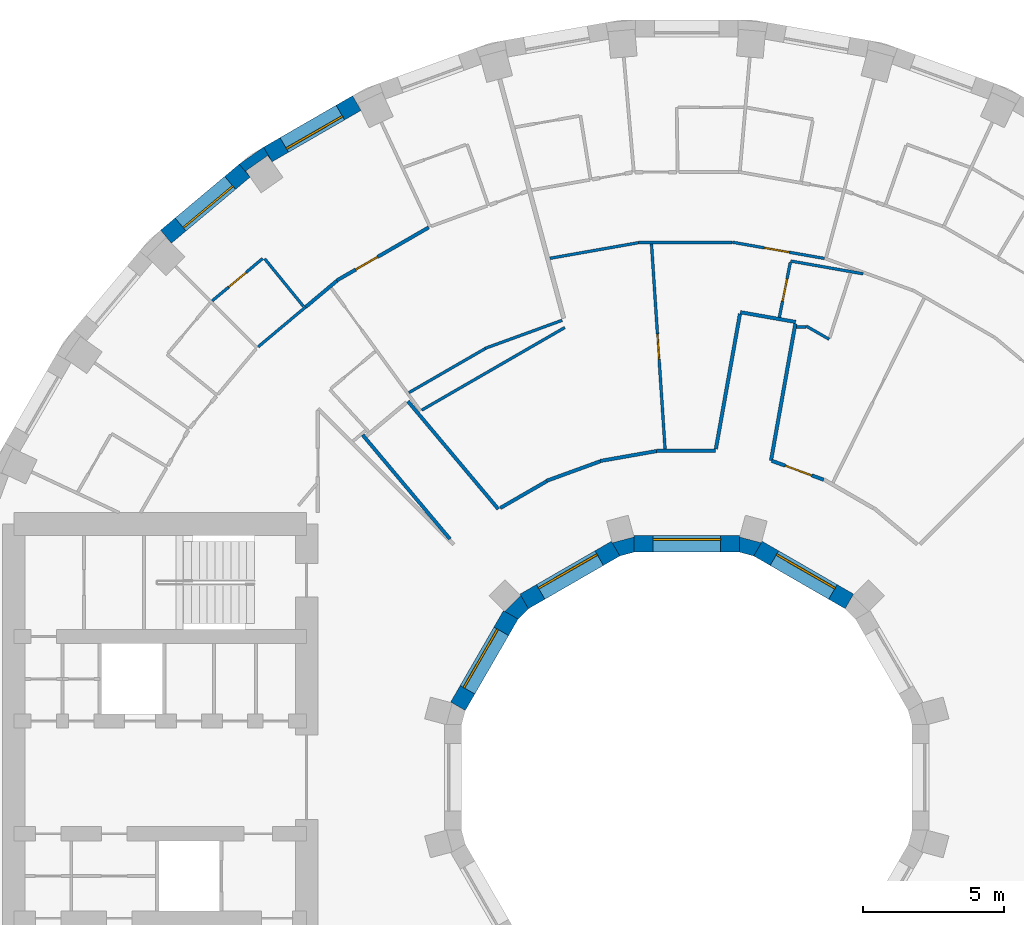
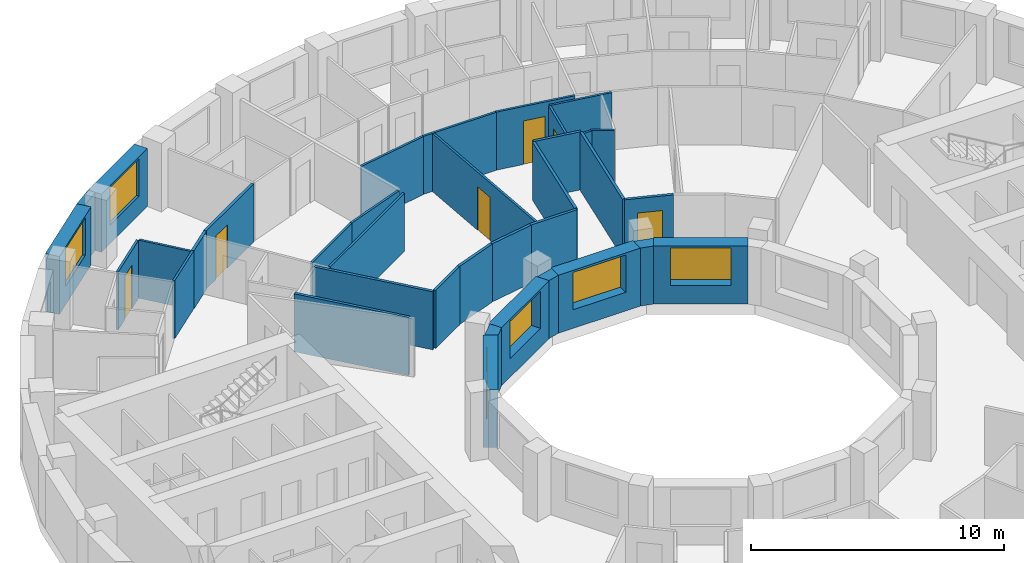
# One storey, part 12 of 16: 36 walls, 6 doors, 6 windows, 12 openings.
"""IFC4 building model written with IfcOpenShell, lengths in metres."""

from ifc_helpers import new_model, si_unit, direction, frame, frame_2d, origin, place, context, subcontext, project, spatial, polyline, rectangle, outline, extrude, material, layer, layer_set, type_object, element, fill, save


model = new_model("IFC4")

# Units and contexts
model_context = context("Model", 3, precision=1e-05, world=origin(), true_north=direction((0.0, 1.0)))
body_context = subcontext(model_context, "Body", "Model", "MODEL_VIEW")
ifc_project = project(units=[si_unit("LENGTHUNIT", "METRE"), si_unit("AREAUNIT", "SQUARE_METRE"), si_unit("VOLUMEUNIT", "CUBIC_METRE"), si_unit("PLANEANGLEUNIT", "RADIAN"), si_unit("MASSUNIT", "GRAM", prefix="KILO")], contexts=[model_context])

# Site, building, storey
site_placement = place(None, origin())
site = spatial("IfcSite", under=ifc_project, at=site_placement, CompositionType="ELEMENT")
building_placement = place(site_placement, origin())
building = spatial("IfcBuilding", under=site, at=building_placement, Name="Saqina Gate Tower", CompositionType="ELEMENT")
storey_placement = place(building_placement, frame((0.0, 0.0, 141.39990234375)))
storey = spatial("IfcBuildingStorey", under=building, at=storey_placement, Name="L40", CompositionType="ELEMENT", Elevation=141.39990234375)

# Wall
ifc_material_1 = material(Name="Brick masonry (buff)", Category="masonry")
wall_type_1 = type_object("IfcWallType", Name="BRICK PIER COPING BUFF", PredefinedType="SOLIDWALL", material=ifc_material_1)
wall_1_placement = place(storey_placement, origin())
element("IfcWall", 1, at=wall_1_placement, inside=storey, type_object=wall_type_1, Name="Pier cap L40 column 13", PredefinedType="SOLIDWALL", context=body_context, shape_type="SweptSolid", body=[
    extrude(outline(polyline([(-15.89208984375, 21.77685546875), (-15.50634765625, 21.317138671875), (-15.66064453125, 21.53759765625), (-14.88232421875, 22.08251953125), (-14.728271484375, 21.862060546875), (-15.0283203125, 22.3818359375), (-15.89208984375, 21.77685546875)])), origin(), (0.0, 0.0, 1.0), 2.800048828125),
])

# Wall, opening, window
ifc_material_2 = material(Name="Brick masonry (buff)", Category="masonry")
ifc_layer_1 = layer(ifc_material_2, 0.60009765625)
ifc_layer_set_1 = layer_set([ifc_layer_1], Name="FW-BRICK-BUFF")
wall_type_2 = type_object("IfcWallType", Name="FW-BRICK-BUFF", PredefinedType="SOLIDWALL", material=ifc_layer_set_1)
wall_2_placement = place(storey_placement, frame((-11.718994140625, 23.94580078125, 0.0), z_axis=(0.0, 0.0, 1.0), x_axis=(-0.866051847062, -0.499954196102, 0.0)))
wall_2 = element("IfcWall", 2, at=wall_2_placement, inside=storey, type_object=wall_type_2, Name="Facade wall L40 facet 12", PredefinedType="SOLIDWALL", context=body_context, shape_type="SweptSolid", body=[
    extrude(rectangle(XDim=3.647705078125, YDim=0.60009765625, at=frame_2d((1.82373046875, 0.0))), origin(), (0.0, 0.0, 1.0), 2.800048828125),
])
opening_1_placement = place(wall_2_placement, frame((0.673828125, 0.0, 0.89990234375)))
opening_1 = element("IfcOpeningElement", 3, at=opening_1_placement, cuts=wall_2, Name="Opening G12-W10", PredefinedType="OPENING", context=body_context, shape_type="SweptSolid", body=[
    extrude(rectangle(XDim=2.300048828125, YDim=1.800048828125, at=frame_2d((1.14990234375, 0.89990234375))), frame((0.0, 0.31201171875, 0.0), z_axis=(0.0, -1.0, 0.0), x_axis=(1.0, 0.0, 0.0)), (0.0, 0.0, 1.0), 0.6240234375),
])
ifc_material_3 = material(Name="Aluminium glazing", Category="aluminium")
window_type_1 = type_object("IfcWindowType", Name="WN-B", PartitioningType="SINGLE_PANEL", PredefinedType="WINDOW", material=ifc_material_3)
window_1_placement = place(opening_1_placement, origin())
window_1 = element("IfcWindow", 4, at=window_1_placement, inside=storey, type_object=window_type_1, Name="Window L40 facet 12", OverallHeight=1.800048828125, OverallWidth=2.300048828125, PartitioningType="SINGLE_PANEL", PredefinedType="WINDOW", context=body_context, shape_type="SweptSolid", body=[
    extrude(rectangle(XDim=2.300048828125, YDim=1.800048828125, at=frame_2d((1.14990234375, 0.89990234375))), frame((0.0, 0.179931640625, 0.0), z_axis=(0.0, -1.0, 0.0), x_axis=(1.0, 0.0, 0.0)), (0.0, 0.0, 1.0), 0.06005859375),
])
fill(opening_1, window_1)

wall_3_placement = place(storey_placement, frame((-15.69921875, 21.547119140625, 0.0), z_axis=(0.0, 0.0, 1.0), x_axis=(-0.766055462616, -0.642774476932, 0.0)))
wall_3 = element("IfcWall", 5, at=wall_3_placement, inside=storey, type_object=wall_type_2, Name="Facade wall L40 facet 13", PredefinedType="SOLIDWALL", context=body_context, shape_type="SweptSolid", body=[
    extrude(rectangle(XDim=3.647705078125, YDim=0.60009765625, at=frame_2d((1.82373046875, 0.0))), origin(), (0.0, 0.0, 1.0), 2.800048828125),
])
opening_2_placement = place(wall_3_placement, frame((0.673828125, 0.0, 0.89990234375)))
opening_2 = element("IfcOpeningElement", 6, at=opening_2_placement, cuts=wall_3, Name="Opening G12-W11", PredefinedType="OPENING", context=body_context, shape_type="SweptSolid", body=[
    extrude(rectangle(XDim=2.300048828125, YDim=1.800048828125, at=frame_2d((1.14990234375, 0.89990234375))), frame((0.0, 0.31201171875, 0.0), z_axis=(0.0, -1.0, 0.0), x_axis=(1.0, 0.0, 0.0)), (0.0, 0.0, 1.0), 0.6240234375),
])
window_2_placement = place(opening_2_placement, origin())
window_2 = element("IfcWindow", 7, at=window_2_placement, inside=storey, type_object=window_type_1, Name="Window L40 facet 13", OverallHeight=1.800048828125, OverallWidth=2.300048828125, PartitioningType="SINGLE_PANEL", PredefinedType="WINDOW", context=body_context, shape_type="SweptSolid", body=[
    extrude(rectangle(XDim=2.300048828125, YDim=1.800048828125, at=frame_2d((1.14990234375, 0.89990234375))), frame((0.0, 0.179931640625, 0.0), z_axis=(0.0, -1.0, 0.0), x_axis=(1.0, 0.0, 0.0)), (0.0, 0.0, 1.0), 0.06005859375),
])
fill(opening_2, window_2)

ifc_material_4 = material(Name="Glazed ceramic tile", Category="ceramic")
ifc_layer_2 = layer(ifc_material_4, 0.60009765625)
ifc_layer_set_2 = layer_set([ifc_layer_2], Name="IW-TILE")
wall_type_3 = type_object("IfcWallType", Name="IW-TILE", PredefinedType="SOLIDWALL", material=ifc_layer_set_2)
wall_4_placement = place(storey_placement, frame((5.772705078125, 6.251220703125, 0.0), z_axis=(0.0, 0.0, 1.0), x_axis=(-0.86604563398, 0.499964958637, 0.0)))
wall_4 = element("IfcWall", 8, at=wall_4_placement, inside=storey, type_object=wall_type_3, Name="Well wall L40 facet 2", PredefinedType="SOLIDWALL", context=body_context, shape_type="SweptSolid", body=[
    extrude(rectangle(XDim=3.747314453125, YDim=0.60009765625, at=frame_2d((1.87353515625, 0.0))), origin(), (0.0, 0.0, 1.0), 2.800048828125),
])
opening_3_placement = place(wall_4_placement, frame((0.673583984375, 0.0, 0.89990234375)))
opening_3 = element("IfcOpeningElement", 9, at=opening_3_placement, cuts=wall_4, Name="Opening G12-W24", PredefinedType="OPENING", context=body_context, shape_type="SweptSolid", body=[
    extrude(rectangle(XDim=2.39990234375, YDim=1.800048828125, at=frame_2d((1.199951171875, 0.89990234375))), frame((0.0, 0.31201171875, 0.0), z_axis=(0.0, -1.0, 0.0), x_axis=(1.0, 0.0, 0.0)), (0.0, 0.0, 1.0), 0.6240234375),
])
ifc_material_5 = material(Name="Aluminium glazing", Category="aluminium")
window_type_2 = type_object("IfcWindowType", Name="WN-W", PartitioningType="SINGLE_PANEL", PredefinedType="WINDOW", material=ifc_material_5)
window_3_placement = place(opening_3_placement, origin())
window_3 = element("IfcWindow", 10, at=window_3_placement, inside=storey, type_object=window_type_2, Name="Well window L40 facet 2", OverallHeight=1.800048828125, OverallWidth=2.39990234375, PartitioningType="SINGLE_PANEL", PredefinedType="WINDOW", context=body_context, shape_type="SweptSolid", body=[
    extrude(rectangle(XDim=2.39990234375, YDim=1.800048828125, at=frame_2d((1.199951171875, 0.89990234375))), frame((0.0, -0.119873046875, 0.0), z_axis=(0.0, -1.0, 0.0), x_axis=(1.0, 0.0, 0.0)), (0.0, 0.0, 1.0), 0.06005859375),
])
fill(opening_3, window_3)

wall_5_placement = place(storey_placement, frame((1.873779296875, 8.300048828125, 0.0), z_axis=(0.0, 0.0, 1.0), x_axis=(-1.0, 0.0, 0.0)))
wall_5 = element("IfcWall", 11, at=wall_5_placement, inside=storey, type_object=wall_type_3, Name="Well wall L40 facet 3", PredefinedType="SOLIDWALL", context=body_context, shape_type="SweptSolid", body=[
    extrude(rectangle(XDim=3.74755859375, YDim=0.60009765625, at=frame_2d((1.873779296875, 0.0))), origin(), (0.0, 0.0, 1.0), 2.800048828125),
])
opening_4_placement = place(wall_5_placement, frame((0.673583984375, 0.0, 0.89990234375)))
opening_4 = element("IfcOpeningElement", 12, at=opening_4_placement, cuts=wall_5, Name="Opening G12-W25", PredefinedType="OPENING", context=body_context, shape_type="SweptSolid", body=[
    extrude(rectangle(XDim=2.39990234375, YDim=1.800048828125, at=frame_2d((1.199951171875, 0.89990234375))), frame((0.0, 0.31201171875, 0.0), z_axis=(0.0, -1.0, 0.0), x_axis=(1.0, 0.0, 0.0)), (0.0, 0.0, 1.0), 0.6240234375),
])
window_4_placement = place(opening_4_placement, origin())
window_4 = element("IfcWindow", 13, at=window_4_placement, inside=storey, type_object=window_type_2, Name="Well window L40 facet 3", OverallHeight=1.800048828125, OverallWidth=2.39990234375, PartitioningType="SINGLE_PANEL", PredefinedType="WINDOW", context=body_context, shape_type="SweptSolid", body=[
    extrude(rectangle(XDim=2.39990234375, YDim=1.800048828125, at=frame_2d((1.199951171875, 0.89990234375))), frame((0.0, -0.119873046875, 0.0), z_axis=(0.0, -1.0, 0.0), x_axis=(1.0, 0.0, 0.0)), (0.0, 0.0, 1.0), 0.06005859375),
])
fill(opening_4, window_4)

wall_6_placement = place(storey_placement, frame((-2.52734375, 8.124755859375, 0.0), z_axis=(0.0, 0.0, 1.0), x_axis=(-0.86604563398, -0.499964958637, 0.0)))
wall_6 = element("IfcWall", 14, at=wall_6_placement, inside=storey, type_object=wall_type_3, Name="Well wall L40 facet 4", PredefinedType="SOLIDWALL", context=body_context, shape_type="SweptSolid", body=[
    extrude(rectangle(XDim=3.747314453125, YDim=0.60009765625, at=frame_2d((1.87353515625, 0.0))), origin(), (0.0, 0.0, 1.0), 2.800048828125),
])
opening_5_placement = place(wall_6_placement, frame((0.673583984375, 0.0, 0.89990234375)))
opening_5 = element("IfcOpeningElement", 15, at=opening_5_placement, cuts=wall_6, Name="Opening G12-W26", PredefinedType="OPENING", context=body_context, shape_type="SweptSolid", body=[
    extrude(rectangle(XDim=2.39990234375, YDim=1.800048828125, at=frame_2d((1.199951171875, 0.89990234375))), frame((0.0, 0.31201171875, 0.0), z_axis=(0.0, -1.0, 0.0), x_axis=(1.0, 0.0, 0.0)), (0.0, 0.0, 1.0), 0.6240234375),
])
window_5_placement = place(opening_5_placement, origin())
window_5 = element("IfcWindow", 16, at=window_5_placement, inside=storey, type_object=window_type_2, Name="Well window L40 facet 4", OverallHeight=1.800048828125, OverallWidth=2.39990234375, PartitioningType="SINGLE_PANEL", PredefinedType="WINDOW", context=body_context, shape_type="SweptSolid", body=[
    extrude(rectangle(XDim=2.39990234375, YDim=1.800048828125, at=frame_2d((1.199951171875, 0.89990234375))), frame((0.0, -0.119873046875, 0.0), z_axis=(0.0, -1.0, 0.0), x_axis=(1.0, 0.0, 0.0)), (0.0, 0.0, 1.0), 0.06005859375),
])
fill(opening_5, window_5)

wall_7_placement = place(storey_placement, frame((-6.251220703125, 5.772705078125, 0.0), z_axis=(0.0, 0.0, 1.0), x_axis=(-0.499964958637, -0.86604563398, 0.0)))
wall_7 = element("IfcWall", 17, at=wall_7_placement, inside=storey, type_object=wall_type_3, Name="Well wall L40 facet 5", PredefinedType="SOLIDWALL", context=body_context, shape_type="SweptSolid", body=[
    extrude(rectangle(XDim=3.747314453125, YDim=0.60009765625, at=frame_2d((1.87353515625, 0.0))), origin(), (0.0, 0.0, 1.0), 2.800048828125),
])
opening_6_placement = place(wall_7_placement, frame((0.673583984375, 0.0, 0.89990234375)))
opening_6 = element("IfcOpeningElement", 18, at=opening_6_placement, cuts=wall_7, Name="Opening G12-W27", PredefinedType="OPENING", context=body_context, shape_type="SweptSolid", body=[
    extrude(rectangle(XDim=2.39990234375, YDim=1.800048828125, at=frame_2d((1.199951171875, 0.89990234375))), frame((0.0, 0.31201171875, 0.0), z_axis=(0.0, -1.0, 0.0), x_axis=(1.0, 0.0, 0.0)), (0.0, 0.0, 1.0), 0.6240234375),
])
window_6_placement = place(opening_6_placement, origin())
window_6 = element("IfcWindow", 19, at=window_6_placement, inside=storey, type_object=window_type_2, Name="Well window L40 facet 5", OverallHeight=1.800048828125, OverallWidth=2.39990234375, PartitioningType="SINGLE_PANEL", PredefinedType="WINDOW", context=body_context, shape_type="SweptSolid", body=[
    extrude(rectangle(XDim=2.39990234375, YDim=1.800048828125, at=frame_2d((1.199951171875, 0.89990234375))), frame((0.0, -0.119873046875, 0.0), z_axis=(0.0, -1.0, 0.0), x_axis=(1.0, 0.0, 0.0)), (0.0, 0.0, 1.0), 0.06005859375),
])
fill(opening_6, window_6)

# Wall, opening, door
ifc_material_6 = material(Name="Gypsum board on steel studs, 100 mm", Category="steel")
ifc_layer_3 = layer(ifc_material_6, 0.10009765625)
ifc_layer_set_3 = layer_set([ifc_layer_3], Name="PARTITION 100")
wall_type_4 = type_object("IfcWallType", Name="PARTITION 100", PredefinedType="PARTITIONING", material=ifc_layer_set_3)
wall_8_placement = place(storey_placement, frame((-1.253662109375, 18.94921875, 0.0), z_axis=(0.0, 0.0, 1.0), x_axis=(0.066059696755, -0.997815672589, 0.0)))
wall_8 = element("IfcWall", 20, at=wall_8_placement, inside=storey, type_object=wall_type_4, Name="PARTITION PW3-02", PredefinedType="PARTITIONING", context=body_context, shape_type="SweptSolid", body=[
    extrude(rectangle(XDim=7.302734375, YDim=0.10009765625, at=frame_2d((3.6513671875, 0.0))), origin(), (0.0, 0.0, 1.0), 2.800048828125),
])
opening_7_placement = place(wall_8_placement, frame((3.20849609375, 0.0, 0.0)))
opening_7 = element("IfcOpeningElement", 21, at=opening_7_placement, cuts=wall_8, Name="Opening G12-D18", PredefinedType="OPENING", context=body_context, shape_type="SweptSolid", body=[
    extrude(rectangle(XDim=0.89990234375, YDim=2.10009765625, at=frame_2d((0.449951171875, 1.050048828125))), frame((0.0, 0.06201171875, 0.0), z_axis=(0.0, -1.0, 0.0), x_axis=(1.0, 0.0, 0.0)), (0.0, 0.0, 1.0), 0.1240234375),
])
ifc_material_7 = material(Name="Timber door leaf, 900 mm", Category="wood")
door_type_1 = type_object("IfcDoorType", Name="DOOR 900 TIMBER", OperationType="SINGLE_SWING_LEFT", PredefinedType="DOOR", material=ifc_material_7)
door_1_placement = place(opening_7_placement, origin())
door_1 = element("IfcDoor", 22, at=door_1_placement, inside=storey, type_object=door_type_1, Name="DOOR G12-D18", OperationType="SINGLE_SWING_RIGHT", OverallHeight=2.10009765625, OverallWidth=0.89990234375, PredefinedType="DOOR", context=body_context, shape_type="SweptSolid", body=[
    extrude(rectangle(XDim=0.89990234375, YDim=2.10009765625, at=frame_2d((0.449951171875, 1.050048828125))), frame((0.0, 0.02490234375, 0.0), z_axis=(0.0, -1.0, 0.0), x_axis=(1.0, 0.0, 0.0)), (0.0, 0.0, 1.0), 0.050048828125),
])
fill(opening_7, door_1)

# Walls
wall_9_placement = place(storey_placement, frame((-14.98876953125, 18.419189453125, 0.0), z_axis=(0.0, 0.0, 1.0), x_axis=(0.63124481093, -0.775583643893, 0.0)))
element("IfcWall", 23, at=wall_9_placement, inside=storey, type_object=wall_type_4, Name="PARTITION PW3-15", PredefinedType="PARTITIONING", context=body_context, shape_type="SweptSolid", body=[
    extrude(rectangle(XDim=2.18359375, YDim=0.10009765625, at=frame_2d((1.091796875, 0.0))), origin(), (0.0, 0.0, 1.0), 2.800048828125),
])
wall_10_placement = place(storey_placement, frame((4.238037109375, 16.03076171875, 0.0), z_axis=(0.0, 0.0, 1.0), x_axis=(0.866215708717, -0.499670237228, 0.0)))
element("IfcWall", 24, at=wall_10_placement, inside=storey, type_object=wall_type_4, Name="PARTITION PW3-41", PredefinedType="PARTITIONING", context=body_context, shape_type="SweptSolid", body=[
    extrude(rectangle(XDim=0.944580078125, YDim=0.10009765625, at=frame_2d((0.47216796875, 0.0))), origin(), (0.0, 0.0, 1.0), 2.800048828125),
])
wall_11_placement = place(storey_placement, frame((3.68798828125, 18.337890625, 0.0), z_axis=(0.0, 0.0, 1.0), x_axis=(0.984859586639, -0.173353957572, 0.0)))
element("IfcWall", 25, at=wall_11_placement, inside=storey, type_object=wall_type_4, Name="PARTITION PW3-56", PredefinedType="PARTITIONING", context=body_context, shape_type="SweptSolid", body=[
    extrude(rectangle(XDim=2.615234375, YDim=0.10009765625, at=frame_2d((1.3076171875, 0.0))), origin(), (0.0, 0.0, 1.0), 2.800048828125),
])

# Wall, opening, door
wall_12_placement = place(storey_placement, frame((1.612060546875, 19.0078125, 0.0), z_axis=(0.0, 0.0, 1.0), x_axis=(0.984770991222, -0.173856535243, 0.0)))
wall_12 = element("IfcWall", 26, at=wall_12_placement, inside=storey, type_object=wall_type_4, Name="PARTITION PW3-57", PredefinedType="PARTITIONING", context=body_context, shape_type="SweptSolid", body=[
    extrude(rectangle(XDim=3.3251953125, YDim=0.10009765625, at=frame_2d((1.66259765625, 0.0))), origin(), (0.0, 0.0, 1.0), 2.800048828125),
])
opening_8_placement = place(wall_12_placement, frame((1.1630859375, 0.0, 0.0)))
opening_8 = element("IfcOpeningElement", 27, at=opening_8_placement, cuts=wall_12, Name="Opening G12-D14", PredefinedType="OPENING", context=body_context, shape_type="SweptSolid", body=[
    extrude(rectangle(XDim=0.89990234375, YDim=2.10009765625, at=frame_2d((0.449951171875, 1.050048828125))), frame((0.0, 0.06201171875, 0.0), z_axis=(0.0, -1.0, 0.0), x_axis=(1.0, 0.0, 0.0)), (0.0, 0.0, 1.0), 0.1240234375),
])
door_2_placement = place(opening_8_placement, frame((0.89990234375, 0.0, 0.0), z_axis=(0.0, 0.0, 1.0), x_axis=(-1.0, 0.0, 0.0)))
door_2 = element("IfcDoor", 28, at=door_2_placement, inside=storey, type_object=door_type_1, Name="DOOR G12-D14", OperationType="SINGLE_SWING_LEFT", OverallHeight=2.10009765625, OverallWidth=0.89990234375, PredefinedType="DOOR", context=body_context, shape_type="SweptSolid", body=[
    extrude(rectangle(XDim=0.89990234375, YDim=2.10009765625, at=frame_2d((0.449951171875, 1.050048828125))), frame((0.0, 0.02490234375, 0.0), z_axis=(0.0, -1.0, 0.0), x_axis=(1.0, 0.0, 0.0)), (0.0, 0.0, 1.0), 0.050048828125),
])
fill(opening_8, door_2)

# Walls
wall_13_placement = place(storey_placement, frame((3.89892578125, 16.0, 0.0), z_axis=(0.0, 0.0, 1.0), x_axis=(1.0, 0.0, 0.0)))
element("IfcWall", 29, at=wall_13_placement, inside=storey, type_object=wall_type_4, Name="PARTITION PW3-60", PredefinedType="PARTITIONING", context=body_context, shape_type="SweptSolid", body=[
    extrude(rectangle(XDim=0.339111328125, YDim=0.10009765625, at=frame_2d((0.16943359375, 0.0))), origin(), (0.0, 0.0, 1.0), 2.800048828125),
])
wall_14_placement = place(storey_placement, frame((-1.712890625, 18.9990234375, 0.0), z_axis=(0.0, 0.0, 1.0), x_axis=(1.0, 0.0, 0.0)))
element("IfcWall", 30, at=wall_14_placement, inside=storey, type_object=wall_type_4, Name="PARTITION PW3-61", PredefinedType="PARTITIONING", context=body_context, shape_type="SweptSolid", body=[
    extrude(rectangle(XDim=3.324951171875, YDim=0.10009765625, at=frame_2d((1.66259765625, 0.0))), origin(), (0.0, 0.0, 1.0), 2.800048828125),
])
wall_15_placement = place(storey_placement, frame((-4.862060546875, 18.43408203125, 0.0), z_axis=(0.0, 0.0, 1.0), x_axis=(0.984777412926, 0.173820157031, 0.0)))
element("IfcWall", 31, at=wall_15_placement, inside=storey, type_object=wall_type_4, Name="PARTITION PW3-64", PredefinedType="PARTITIONING", context=body_context, shape_type="SweptSolid", body=[
    extrude(rectangle(XDim=3.199462890625, YDim=0.10009765625, at=frame_2d((1.599609375, 0.0))), origin(), (0.0, 0.0, 1.0), 2.800048828125),
])
wall_16_placement = place(storey_placement, frame((-7.16064453125, 15.237548828125, 0.0), z_axis=(0.0, 0.0, 1.0), x_axis=(0.939722354216, 0.341938440346, 0.0)))
element("IfcWall", 32, at=wall_16_placement, inside=storey, type_object=wall_type_4, Name="PARTITION PW3-69", PredefinedType="PARTITIONING", context=body_context, shape_type="SweptSolid", body=[
    extrude(rectangle(XDim=2.909423828125, YDim=0.10009765625, at=frame_2d((1.45458984375, 0.0))), origin(), (0.0, 0.0, 1.0), 2.800048828125),
])
wall_17_placement = place(storey_placement, frame((-9.413818359375, 13.04296875, 0.0), z_axis=(0.0, 0.0, 1.0), x_axis=(0.866050468633, 0.499956583896, 0.0)))
element("IfcWall", 33, at=wall_17_placement, inside=storey, type_object=wall_type_4, Name="PARTITION PW3-75", PredefinedType="PARTITIONING", context=body_context, shape_type="SweptSolid", body=[
    extrude(rectangle(XDim=5.8671875, YDim=0.10009765625, at=frame_2d((2.93359375, 0.0))), origin(), (0.0, 0.0, 1.0), 2.800048828125),
])
wall_18_placement = place(storey_placement, frame((-9.8662109375, 13.66552734375, 0.0), z_axis=(0.0, 0.0, 1.0), x_axis=(0.866045268016, 0.499965592563, 0.0)))
element("IfcWall", 34, at=wall_18_placement, inside=storey, type_object=wall_type_4, Name="PARTITION PW3-76", PredefinedType="PARTITIONING", context=body_context, shape_type="SweptSolid", body=[
    extrude(rectangle(XDim=3.129150390625, YDim=0.10009765625, at=frame_2d((1.564453125, 0.0))), origin(), (0.0, 0.0, 1.0), 2.800048828125),
])
wall_19_placement = place(storey_placement, frame((-15.2197265625, 15.2919921875, 0.0), z_axis=(0.0, 0.0, 1.0), x_axis=(0.766073622953, 0.642752832911, 0.0)))
element("IfcWall", 35, at=wall_19_placement, inside=storey, type_object=wall_type_4, Name="PARTITION PW3-85", PredefinedType="PARTITIONING", context=body_context, shape_type="SweptSolid", body=[
    extrude(rectangle(XDim=2.203369140625, YDim=0.10009765625, at=frame_2d((1.1015625, 0.0))), origin(), (0.0, 0.0, 1.0), 2.800048828125),
])

# Wall, opening, door
wall_20_placement = place(storey_placement, frame((-16.852783203125, 16.923095703125, 0.0), z_axis=(0.0, 0.0, 1.0), x_axis=(0.765924716163, 0.642930267735, 0.0)))
wall_20 = element("IfcWall", 36, at=wall_20_placement, inside=storey, type_object=wall_type_4, Name="PARTITION PW3-86", PredefinedType="PARTITIONING", context=body_context, shape_type="SweptSolid", body=[
    extrude(rectangle(XDim=2.34033203125, YDim=0.10009765625, at=frame_2d((1.170166015625, 0.0))), origin(), (0.0, 0.0, 1.0), 2.800048828125),
])
opening_9_placement = place(wall_20_placement, frame((0.769287109375, 0.0, 0.0)))
opening_9 = element("IfcOpeningElement", 37, at=opening_9_placement, cuts=wall_20, Name="Opening G12-D26", PredefinedType="OPENING", context=body_context, shape_type="SweptSolid", body=[
    extrude(rectangle(XDim=0.800048828125, YDim=2.10009765625, at=frame_2d((0.39990234375, 1.050048828125))), frame((0.0, 0.06201171875, 0.0), z_axis=(0.0, -1.0, 0.0), x_axis=(1.0, 0.0, 0.0)), (0.0, 0.0, 1.0), 0.1240234375),
])
ifc_material_8 = material(Name="Timber door leaf, 800 mm", Category="wood")
door_type_2 = type_object("IfcDoorType", Name="DOOR 800 TIMBER", OperationType="SINGLE_SWING_LEFT", PredefinedType="DOOR", material=ifc_material_8)
door_3_placement = place(opening_9_placement, origin())
door_3 = element("IfcDoor", 38, at=door_3_placement, inside=storey, type_object=door_type_2, Name="DOOR G12-D26", OperationType="SINGLE_SWING_LEFT", OverallHeight=2.10009765625, OverallWidth=0.800048828125, PredefinedType="DOOR", context=body_context, shape_type="SweptSolid", body=[
    extrude(rectangle(XDim=0.800048828125, YDim=2.10009765625, at=frame_2d((0.39990234375, 1.050048828125))), frame((0.0, 0.02490234375, 0.0), z_axis=(0.0, -1.0, 0.0), x_axis=(1.0, 0.0, 0.0)), (0.0, 0.0, 1.0), 0.050048828125),
])
fill(opening_9, door_3)

wall_21_placement = place(storey_placement, frame((3.285400390625, 16.34033203125, 0.0), z_axis=(0.0, 0.0, 1.0), x_axis=(0.197131685641, 0.980377018558, 0.0)))
wall_21 = element("IfcWall", 39, at=wall_21_placement, inside=storey, type_object=wall_type_4, Name="PARTITION PW3-114", PredefinedType="PARTITIONING", context=body_context, shape_type="SweptSolid", body=[
    extrude(rectangle(XDim=1.98779296875, YDim=0.10009765625, at=frame_2d((0.993896484375, 0.0))), origin(), (0.0, 0.0, 1.0), 2.800048828125),
])
opening_10_placement = place(wall_21_placement, frame((0.587158203125, 0.0, 0.0)))
opening_10 = element("IfcOpeningElement", 40, at=opening_10_placement, cuts=wall_21, Name="Opening G12-D13", PredefinedType="OPENING", context=body_context, shape_type="SweptSolid", body=[
    extrude(rectangle(XDim=0.800048828125, YDim=2.10009765625, at=frame_2d((0.39990234375, 1.050048828125))), frame((0.0, 0.06201171875, 0.0), z_axis=(0.0, -1.0, 0.0), x_axis=(1.0, 0.0, 0.0)), (0.0, 0.0, 1.0), 0.1240234375),
])
door_4_placement = place(opening_10_placement, origin())
door_4 = element("IfcDoor", 41, at=door_4_placement, inside=storey, type_object=door_type_2, Name="DOOR G12-D13", OperationType="SINGLE_SWING_LEFT", OverallHeight=2.10009765625, OverallWidth=0.800048828125, PredefinedType="DOOR", context=body_context, shape_type="SweptSolid", body=[
    extrude(rectangle(XDim=0.800048828125, YDim=2.10009765625, at=frame_2d((0.39990234375, 1.050048828125))), frame((0.0, 0.02490234375, 0.0), z_axis=(0.0, -1.0, 0.0), x_axis=(1.0, 0.0, 0.0)), (0.0, 0.0, 1.0), 0.050048828125),
])
fill(opening_10, door_4)

# Walls
ifc_material_9 = material(Name="Gypsum board on steel studs, 125 mm, fire rated", Category="steel")
ifc_layer_4 = layer(ifc_material_9, 0.125)
ifc_layer_set_4 = layer_set([ifc_layer_4], Name="PARTITION EI 30 125")
wall_type_5 = type_object("IfcWallType", Name="PARTITION EI 30 125", PredefinedType="PARTITIONING", material=ifc_layer_set_4)
wall_22_placement = place(storey_placement, frame((-11.51123046875, 12.16357421875, 0.0), z_axis=(0.0, 0.0, 1.0), x_axis=(0.64269368401, -0.766123246308, 0.0)))
element("IfcWall", 42, at=wall_22_placement, inside=storey, type_object=wall_type_5, Name="PARTITION PW1-05", PredefinedType="PARTITIONING", context=body_context, shape_type="SweptSolid", body=[
    extrude(rectangle(XDim=4.826171875, YDim=0.125, at=frame_2d((2.4130859375, 0.0))), origin(), (0.0, 0.0, 1.0), 2.800048828125),
])
wall_23_placement = place(storey_placement, frame((-9.904052734375, 13.35888671875, 0.0), z_axis=(0.0, 0.0, 1.0), x_axis=(0.64260671374, -0.766196196451, 0.0)))
element("IfcWall", 43, at=wall_23_placement, inside=storey, type_object=wall_type_5, Name="PARTITION PW1-07", PredefinedType="PARTITIONING", context=body_context, shape_type="SweptSolid", body=[
    extrude(rectangle(XDim=4.999755859375, YDim=0.125, at=frame_2d((2.5, 0.0))), origin(), (0.0, 0.0, 1.0), 2.800048828125),
])

# Wall, opening, door
wall_24_placement = place(storey_placement, frame((3.012939453125, 11.24609375, 0.0), z_axis=(0.0, 0.0, 1.0), x_axis=(0.939532310436, -0.342460271633, 0.0)))
wall_24 = element("IfcWall", 44, at=wall_24_placement, inside=storey, type_object=wall_type_5, Name="PARTITION PW1-23", PredefinedType="PARTITIONING", context=body_context, shape_type="SweptSolid", body=[
    extrude(rectangle(XDim=1.967529296875, YDim=0.125, at=frame_2d((0.98388671875, 0.0))), origin(), (0.0, 0.0, 1.0), 2.800048828125),
])
opening_11_placement = place(wall_24_placement, frame((0.514892578125, 0.0, 0.0)))
opening_11 = element("IfcOpeningElement", 45, at=opening_11_placement, cuts=wall_24, Name="Opening G12-D10", PredefinedType="OPENING", context=body_context, shape_type="SweptSolid", body=[
    extrude(rectangle(XDim=1.0, YDim=2.10009765625, at=frame_2d((0.5, 1.050048828125))), frame((0.0, 0.074462890625, 0.0), z_axis=(0.0, -1.0, 0.0), x_axis=(1.0, 0.0, 0.0)), (0.0, 0.0, 1.0), 0.14892578125),
])
ifc_material_10 = material(Name="Fire door leaf EI 30, 1000 mm")
door_type_3 = type_object("IfcDoorType", Name="DOOR 1000 EI 30", OperationType="SINGLE_SWING_LEFT", PredefinedType="DOOR", material=ifc_material_10)
door_5_placement = place(opening_11_placement, origin())
door_5 = element("IfcDoor", 46, at=door_5_placement, inside=storey, type_object=door_type_3, Name="DOOR G12-D10", OperationType="SINGLE_SWING_LEFT", OverallHeight=2.10009765625, OverallWidth=1.0, PredefinedType="DOOR", context=body_context, shape_type="SweptSolid", body=[
    extrude(rectangle(XDim=1.0, YDim=2.10009765625, at=frame_2d((0.5, 1.050048828125))), frame((0.0, 0.02490234375, 0.0), z_axis=(0.0, -1.0, 0.0), x_axis=(1.0, 0.0, 0.0)), (0.0, 0.0, 1.0), 0.050048828125),
])
fill(opening_11, door_5)

# Walls
wall_25_placement = place(storey_placement, frame((1.89892578125, 16.520751953125, 0.0), z_axis=(0.0, 0.0, 1.0), x_axis=(0.984836400178, -0.173485633079, 0.0)))
element("IfcWall", 47, at=wall_25_placement, inside=storey, type_object=wall_type_5, Name="PARTITION PW1-26", PredefinedType="PARTITIONING", context=body_context, shape_type="SweptSolid", body=[
    extrude(rectangle(XDim=1.998291015625, YDim=0.125, at=frame_2d((0.9990234375, 0.0))), origin(), (0.0, 0.0, 1.0), 2.800048828125),
])
wall_26_placement = place(storey_placement, frame((-1.078369140625, 11.60009765625, 0.0), z_axis=(0.0, 0.0, 1.0), x_axis=(1.0, 0.0, 0.0)))
element("IfcWall", 48, at=wall_26_placement, inside=storey, type_object=wall_type_5, Name="PARTITION PW1-29", PredefinedType="PARTITIONING", context=body_context, shape_type="SweptSolid", body=[
    extrude(rectangle(XDim=2.09326171875, YDim=0.125, at=frame_2d((1.046630859375, 0.0))), origin(), (0.0, 0.0, 1.0), 2.800048828125),
])
wall_27_placement = place(storey_placement, frame((-3.076171875, 11.237060546875, 0.0), z_axis=(0.0, 0.0, 1.0), x_axis=(0.984851276096, 0.173401164851, 0.0)))
element("IfcWall", 49, at=wall_27_placement, inside=storey, type_object=wall_type_5, Name="PARTITION PW1-32", PredefinedType="PARTITIONING", context=body_context, shape_type="SweptSolid", body=[
    extrude(rectangle(XDim=2.0302734375, YDim=0.125, at=frame_2d((1.01513671875, 0.0))), origin(), (0.0, 0.0, 1.0), 2.800048828125),
])
wall_28_placement = place(storey_placement, frame((-4.980712890625, 10.53125, 0.0), z_axis=(0.0, 0.0, 1.0), x_axis=(0.939529919943, 0.342466829826, 0.0)))
element("IfcWall", 50, at=wall_28_placement, inside=storey, type_object=wall_type_5, Name="PARTITION PW1-36", PredefinedType="PARTITIONING", context=body_context, shape_type="SweptSolid", body=[
    extrude(rectangle(XDim=2.031005859375, YDim=0.125, at=frame_2d((1.015625, 0.0))), origin(), (0.0, 0.0, 1.0), 2.800048828125),
])
wall_29_placement = place(storey_placement, frame((-6.623779296875, 9.567138671875, 0.0), z_axis=(0.0, 0.0, 1.0), x_axis=(0.865978549379, 0.500081145431, 0.0)))
element("IfcWall", 51, at=wall_29_placement, inside=storey, type_object=wall_type_5, Name="PARTITION PW1-40", PredefinedType="PARTITIONING", context=body_context, shape_type="SweptSolid", body=[
    extrude(rectangle(XDim=1.905029296875, YDim=0.125, at=frame_2d((0.95263671875, 0.0))), origin(), (0.0, 0.0, 1.0), 2.800048828125),
])

# Wall, opening, door
wall_30_placement = place(storey_placement, frame((-12.431884765625, 17.64501953125, 0.0), z_axis=(0.0, 0.0, 1.0), x_axis=(0.866012062527, 0.500023107024, 0.0)))
wall_30 = element("IfcWall", 52, at=wall_30_placement, inside=storey, type_object=wall_type_5, Name="PARTITION PW1-41", PredefinedType="PARTITIONING", context=body_context, shape_type="SweptSolid", body=[
    extrude(rectangle(XDim=3.772216796875, YDim=0.125, at=frame_2d((1.88623046875, 0.0))), origin(), (0.0, 0.0, 1.0), 2.800048828125),
])
opening_12_placement = place(wall_30_placement, frame((0.783203125, 0.0, 0.0)))
opening_12 = element("IfcOpeningElement", 53, at=opening_12_placement, cuts=wall_30, Name="Opening G12-D23", PredefinedType="OPENING", context=body_context, shape_type="SweptSolid", body=[
    extrude(rectangle(XDim=0.89990234375, YDim=2.10009765625, at=frame_2d((0.449951171875, 1.050048828125))), frame((0.0, 0.074462890625, 0.0), z_axis=(0.0, -1.0, 0.0), x_axis=(1.0, 0.0, 0.0)), (0.0, 0.0, 1.0), 0.14892578125),
])
ifc_material_11 = material(Name="Fire door leaf EI 30, 900 mm")
door_type_4 = type_object("IfcDoorType", Name="DOOR 900 EI 30", OperationType="SINGLE_SWING_LEFT", PredefinedType="DOOR", material=ifc_material_11)
door_6_placement = place(opening_12_placement, origin())
door_6 = element("IfcDoor", 54, at=door_6_placement, inside=storey, type_object=door_type_4, Name="DOOR G12-D23", OperationType="SINGLE_SWING_LEFT", OverallHeight=2.10009765625, OverallWidth=0.89990234375, PredefinedType="DOOR", context=body_context, shape_type="SweptSolid", body=[
    extrude(rectangle(XDim=0.89990234375, YDim=2.10009765625, at=frame_2d((0.449951171875, 1.050048828125))), frame((0.0, 0.02490234375, 0.0), z_axis=(0.0, -1.0, 0.0), x_axis=(1.0, 0.0, 0.0)), (0.0, 0.0, 1.0), 0.050048828125),
])
fill(opening_12, door_6)

# Walls
wall_31_placement = place(storey_placement, frame((-13.53173828125, 16.708251953125, 0.0), z_axis=(0.0, 0.0, 1.0), x_axis=(0.766167387458, 0.642641061866, 0.0)))
element("IfcWall", 55, at=wall_31_placement, inside=storey, type_object=wall_type_5, Name="PARTITION PW1-47", PredefinedType="PARTITIONING", context=body_context, shape_type="SweptSolid", body=[
    extrude(rectangle(XDim=1.44482421875, YDim=0.125, at=frame_2d((0.722412109375, 0.0))), origin(), (0.0, 0.0, 1.0), 2.800048828125),
])
wall_32_placement = place(storey_placement, frame((2.990234375, 11.252685546875, 0.0), z_axis=(0.0, 0.0, 1.0), x_axis=(0.175376377953, 0.984501460667, 0.0)))
element("IfcWall", 56, at=wall_32_placement, inside=storey, type_object=wall_type_5, Name="PARTITION PW1-56", PredefinedType="PARTITIONING", context=body_context, shape_type="SweptSolid", body=[
    extrude(rectangle(XDim=4.936279296875, YDim=0.125, at=frame_2d((2.46826171875, 0.0))), origin(), (0.0, 0.0, 1.0), 2.800048828125),
])
wall_33_placement = place(storey_placement, frame((1.03173828125, 11.66064453125, 0.0), z_axis=(0.0, 0.0, 1.0), x_axis=(0.175547946832, 0.984470882435, 0.0)))
element("IfcWall", 57, at=wall_33_placement, inside=storey, type_object=wall_type_5, Name="PARTITION PW1-57", PredefinedType="PARTITIONING", context=body_context, shape_type="SweptSolid", body=[
    extrude(rectangle(XDim=4.87451171875, YDim=0.125, at=frame_2d((2.437255859375, 0.0))), origin(), (0.0, 0.0, 1.0), 2.800048828125),
])
ifc_material_12 = material(Name="Glazed ceramic tile", Category="ceramic")
wall_type_6 = type_object("IfcWallType", Name="TILE PIER COPING", PredefinedType="SOLIDWALL", material=ifc_material_12)
wall_34_placement = place(storey_placement, origin())
element("IfcWall", 58, at=wall_34_placement, inside=storey, type_object=wall_type_6, Name="Well pier cap L40 column 3", PredefinedType="SOLIDWALL", context=body_context, shape_type="SweptSolid", body=[
    extrude(outline(polyline([(1.873779296875, 8.5380859375), (1.873779296875, 8.0), (2.377197265625, 7.864990234375), (2.646484375, 8.3310546875), (1.873779296875, 8.5380859375)])), origin(), (0.0, 0.0, 1.0), 2.800048828125),
])
wall_35_placement = place(storey_placement, origin())
element("IfcWall", 59, at=wall_35_placement, inside=storey, type_object=wall_type_6, Name="Well pier cap L40 column 4", PredefinedType="SOLIDWALL", context=body_context, shape_type="SweptSolid", body=[
    extrude(outline(polyline([(-2.646484375, 8.3310546875), (-2.377197265625, 7.864990234375), (-1.873779296875, 8.0), (-1.873779296875, 8.5380859375), (-2.646484375, 8.3310546875)])), origin(), (0.0, 0.0, 1.0), 2.800048828125),
])
wall_36_placement = place(storey_placement, origin())
element("IfcWall", 60, at=wall_36_placement, inside=storey, type_object=wall_type_6, Name="Well pier cap L40 column 5", PredefinedType="SOLIDWALL", context=body_context, shape_type="SweptSolid", body=[
    extrude(outline(polyline([(-6.45751953125, 5.891845703125), (-5.991455078125, 5.622802734375), (-5.622802734375, 5.991455078125), (-5.891845703125, 6.45751953125), (-6.45751953125, 5.891845703125)])), origin(), (0.0, 0.0, 1.0), 2.800048828125),
])

save(model, "model.ifc")
